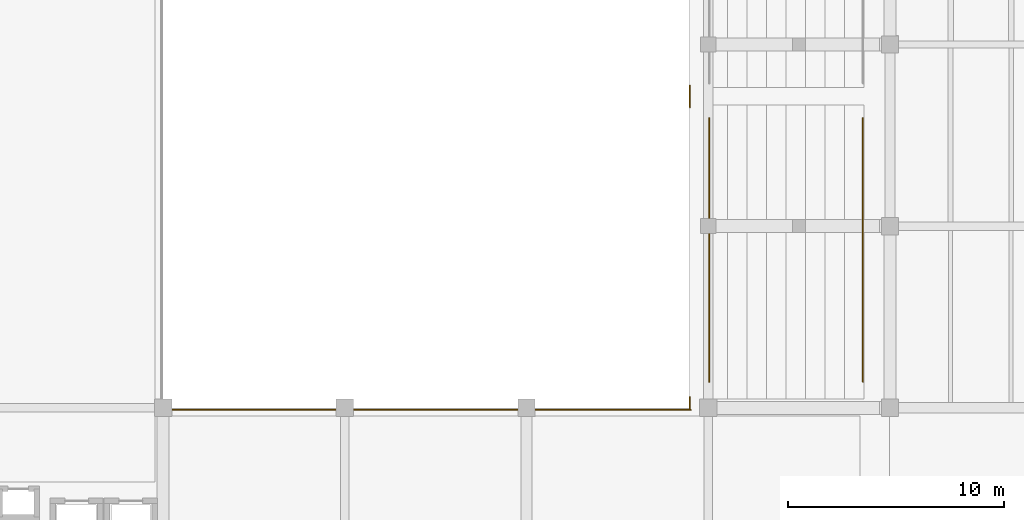
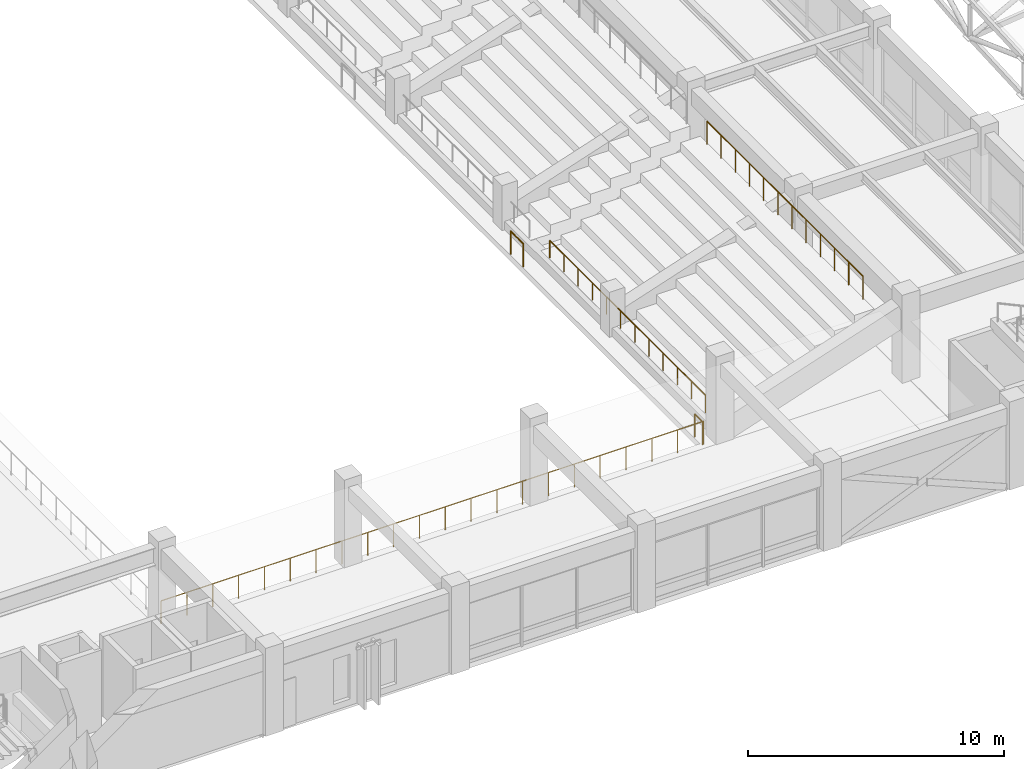
# One storey, part 106 of 132: 5 railings.
"""IFC4 building model written with IfcOpenShell, lengths in metres."""

from ifc_helpers import new_model, si_unit, direction, frame, origin, origin_2d, place, context, subcontext, project, spatial, circle, extrude, material, type_object, element, save


model = new_model("IFC4")

# Units and contexts
model_context = context("Model", 3, precision=1e-05, world=origin(), true_north=direction((0.0, 1.0)))
body_context = subcontext(model_context, "Body", "Model", "MODEL_VIEW")
ifc_project = project(units=[si_unit("LENGTHUNIT", "METRE"), si_unit("AREAUNIT", "SQUARE_METRE"), si_unit("VOLUMEUNIT", "CUBIC_METRE"), si_unit("PLANEANGLEUNIT", "RADIAN"), si_unit("MASSUNIT", "GRAM", prefix="KILO")], contexts=[model_context])

# Site, building, storey
site_placement = place(None, origin())
site = spatial("IfcSite", under=ifc_project, at=site_placement, CompositionType="ELEMENT")
building_placement = place(site_placement, origin())
building = spatial("IfcBuilding", under=site, at=building_placement, Name="Cumbredor Promenade Congress Hotel", CompositionType="ELEMENT")
storey_placement = place(building_placement, frame((0.0, 0.0, 7.56005859375)))
storey = spatial("IfcBuildingStorey", under=building, at=storey_placement, Name="L02", CompositionType="ELEMENT", Elevation=7.56005859375)

# Railings
ifc_material = material(Name="Brushed stainless steel", Category="steel")
railing_type_1 = type_object("IfcRailingType", Name="Interior Void & Stair Guardrail GR-1100", PredefinedType="GUARDRAIL", material=ifc_material)
railing_1_placement = place(storey_placement, frame((25.10009765625, 16.699951171875, 0.0)))
element("IfcRailing", 1, at=railing_1_placement, inside=storey, type_object=railing_type_1, Name="L02 v1_plenary_bowl Void Perimeter Guardrail 1", PredefinedType="GUARDRAIL", context=body_context, shape_type="SweptSolid", body=[
    extrude(circle(Radius=0.02392578125, at=origin_2d()), frame((0.0, 0.0, 1.09619140625), z_axis=(1.0, 0.0, 0.0), x_axis=(0.0, 1.0, 0.0)), (0.0, 0.0, 1.0), 24.5),
    extrude(circle(Radius=0.02099609375, at=origin_2d()), origin(), (0.0, 0.0, 1.0), 1.072021484375),
    extrude(circle(Radius=0.02099609375, at=origin_2d()), frame((1.166748046875, 0.0, 0.0)), (0.0, 0.0, 1.0), 1.072021484375),
    extrude(circle(Radius=0.02099609375, at=origin_2d()), frame((2.333251953125, 0.0, 0.0)), (0.0, 0.0, 1.0), 1.072021484375),
    extrude(circle(Radius=0.02099609375, at=origin_2d()), frame((3.5, 0.0, 0.0)), (0.0, 0.0, 1.0), 1.072021484375),
    extrude(circle(Radius=0.02099609375, at=origin_2d()), frame((4.666748046875, 0.0, 0.0)), (0.0, 0.0, 1.0), 1.072021484375),
    extrude(circle(Radius=0.02099609375, at=origin_2d()), frame((5.833251953125, 0.0, 0.0)), (0.0, 0.0, 1.0), 1.072021484375),
    extrude(circle(Radius=0.02099609375, at=origin_2d()), frame((7.0, 0.0, 0.0)), (0.0, 0.0, 1.0), 1.072021484375),
    extrude(circle(Radius=0.02099609375, at=origin_2d()), frame((8.166748046875, 0.0, 0.0)), (0.0, 0.0, 1.0), 1.072021484375),
    extrude(circle(Radius=0.02099609375, at=origin_2d()), frame((9.333251953125, 0.0, 0.0)), (0.0, 0.0, 1.0), 1.072021484375),
    extrude(circle(Radius=0.02099609375, at=origin_2d()), frame((10.5, 0.0, 0.0)), (0.0, 0.0, 1.0), 1.072021484375),
    extrude(circle(Radius=0.02099609375, at=origin_2d()), frame((11.666748046875, 0.0, 0.0)), (0.0, 0.0, 1.0), 1.072021484375),
    extrude(circle(Radius=0.02099609375, at=origin_2d()), frame((12.833251953125, 0.0, 0.0)), (0.0, 0.0, 1.0), 1.072021484375),
    extrude(circle(Radius=0.02099609375, at=origin_2d()), frame((14.0, 0.0, 0.0)), (0.0, 0.0, 1.0), 1.072021484375),
    extrude(circle(Radius=0.02099609375, at=origin_2d()), frame((15.166748046875, 0.0, 0.0)), (0.0, 0.0, 1.0), 1.072021484375),
    extrude(circle(Radius=0.02099609375, at=origin_2d()), frame((16.333251953125, 0.0, 0.0)), (0.0, 0.0, 1.0), 1.072021484375),
    extrude(circle(Radius=0.02099609375, at=origin_2d()), frame((17.5, 0.0, 0.0)), (0.0, 0.0, 1.0), 1.072021484375),
    extrude(circle(Radius=0.02099609375, at=origin_2d()), frame((18.666748046875, 0.0, 0.0)), (0.0, 0.0, 1.0), 1.072021484375),
    extrude(circle(Radius=0.02099609375, at=origin_2d()), frame((19.833251953125, 0.0, 0.0)), (0.0, 0.0, 1.0), 1.072021484375),
    extrude(circle(Radius=0.02099609375, at=origin_2d()), frame((21.0, 0.0, 0.0)), (0.0, 0.0, 1.0), 1.072021484375),
    extrude(circle(Radius=0.02099609375, at=origin_2d()), frame((22.166748046875, 0.0, 0.0)), (0.0, 0.0, 1.0), 1.072021484375),
    extrude(circle(Radius=0.02099609375, at=origin_2d()), frame((23.333251953125, 0.0, 0.0)), (0.0, 0.0, 1.0), 1.072021484375),
    extrude(circle(Radius=0.02099609375, at=origin_2d()), frame((24.5, 0.0, 0.0)), (0.0, 0.0, 1.0), 1.072021484375),
])
railing_2_placement = place(storey_placement, frame((49.550048828125, 16.699951171875, 0.0)))
element("IfcRailing", 2, at=railing_2_placement, inside=storey, type_object=railing_type_1, Name="L02 v1_plenary_bowl Void Perimeter Guardrail 4", PredefinedType="GUARDRAIL", context=body_context, shape_type="SweptSolid", body=[
    extrude(circle(Radius=0.02392578125, at=origin_2d()), frame((0.0, 0.0, 1.09619140625), z_axis=(0.0, 1.0, 0.0), x_axis=(-1.0, 0.0, 0.0)), (0.0, 0.0, 1.0), 0.60009765625),
    extrude(circle(Radius=0.02099609375, at=origin_2d()), origin(), (0.0, 0.0, 1.0), 1.072021484375),
    extrude(circle(Radius=0.02099609375, at=origin_2d()), frame((0.0, 0.60009765625, 0.0)), (0.0, 0.0, 1.0), 1.072021484375),
])
railing_3_placement = place(storey_placement, frame((49.550048828125, 30.699951171875, 0.0)))
element("IfcRailing", 3, at=railing_3_placement, inside=storey, type_object=railing_type_1, Name="L02 v1_plenary_bowl Void Perimeter Guardrail 5", PredefinedType="GUARDRAIL", context=body_context, shape_type="SweptSolid", body=[
    extrude(circle(Radius=0.02392578125, at=origin_2d()), frame((0.0, 0.0, 1.09619140625), z_axis=(0.0, 1.0, 0.0), x_axis=(-1.0, 0.0, 0.0)), (0.0, 0.0, 1.0), 1.0),
    extrude(circle(Radius=0.02099609375, at=origin_2d()), origin(), (0.0, 0.0, 1.0), 1.072021484375),
    extrude(circle(Radius=0.02099609375, at=origin_2d()), frame((0.0, 1.0, 0.0)), (0.0, 0.0, 1.0), 1.072021484375),
])
railing_4_placement = place(storey_placement, frame((57.550048828125, 18.0, 3.35986328125)))
element("IfcRailing", 4, at=railing_4_placement, inside=storey, type_object=railing_type_1, Name="Upper Balcony Tier 1 Rear Guardrail", PredefinedType="GUARDRAIL", context=body_context, shape_type="SweptSolid", body=[
    extrude(circle(Radius=0.02392578125, at=origin_2d()), frame((0.0, 0.0, 1.09619140625), z_axis=(0.0, 1.0, 0.0), x_axis=(-1.0, 0.0, 0.0)), (0.0, 0.0, 1.0), 12.199951171875),
    extrude(circle(Radius=0.02099609375, at=origin_2d()), origin(), (0.0, 0.0, 1.0), 1.072021484375),
    extrude(circle(Radius=0.02099609375, at=origin_2d()), frame((0.0, 1.109130859375, 0.0)), (0.0, 0.0, 1.0), 1.072021484375),
    extrude(circle(Radius=0.02099609375, at=origin_2d()), frame((0.0, 2.21826171875, 0.0)), (0.0, 0.0, 1.0), 1.072021484375),
    extrude(circle(Radius=0.02099609375, at=origin_2d()), frame((0.0, 3.3271484375, 0.0)), (0.0, 0.0, 1.0), 1.072021484375),
    extrude(circle(Radius=0.02099609375, at=origin_2d()), frame((0.0, 4.436279296875, 0.0)), (0.0, 0.0, 1.0), 1.072021484375),
    extrude(circle(Radius=0.02099609375, at=origin_2d()), frame((0.0, 5.54541015625, 0.0)), (0.0, 0.0, 1.0), 1.072021484375),
    extrude(circle(Radius=0.02099609375, at=origin_2d()), frame((0.0, 6.654541015625, 0.0)), (0.0, 0.0, 1.0), 1.072021484375),
    extrude(circle(Radius=0.02099609375, at=origin_2d()), frame((0.0, 7.763671875, 0.0)), (0.0, 0.0, 1.0), 1.072021484375),
    extrude(circle(Radius=0.02099609375, at=origin_2d()), frame((0.0, 8.872802734375, 0.0)), (0.0, 0.0, 1.0), 1.072021484375),
    extrude(circle(Radius=0.02099609375, at=origin_2d()), frame((0.0, 9.981689453125, 0.0)), (0.0, 0.0, 1.0), 1.072021484375),
    extrude(circle(Radius=0.02099609375, at=origin_2d()), frame((0.0, 11.0908203125, 0.0)), (0.0, 0.0, 1.0), 1.072021484375),
    extrude(circle(Radius=0.02099609375, at=origin_2d()), frame((0.0, 12.199951171875, 0.0)), (0.0, 0.0, 1.0), 1.072021484375),
])
railing_type_2 = type_object("IfcRailingType", Name="Seating Stand Front Sightline Guardrail GR-850", PredefinedType="GUARDRAIL", material=ifc_material)
railing_5_placement = place(storey_placement, frame((50.449951171875, 18.0, 0.419921875)))
element("IfcRailing", 5, at=railing_5_placement, inside=storey, type_object=railing_type_2, Name="Upper Balcony Tier 1 Front Sightline Guardrail", PredefinedType="GUARDRAIL", context=body_context, shape_type="SweptSolid", body=[
    extrude(circle(Radius=0.02392578125, at=origin_2d()), frame((0.0, 0.0, 0.826171875), z_axis=(0.0, 1.0, 0.0), x_axis=(-1.0, 0.0, 0.0)), (0.0, 0.0, 1.0), 12.199951171875),
    extrude(circle(Radius=0.02099609375, at=origin_2d()), origin(), (0.0, 0.0, 1.0), 0.802001953125),
    extrude(circle(Radius=0.02099609375, at=origin_2d()), frame((0.0, 1.109130859375, 0.0)), (0.0, 0.0, 1.0), 0.802001953125),
    extrude(circle(Radius=0.02099609375, at=origin_2d()), frame((0.0, 2.21826171875, 0.0)), (0.0, 0.0, 1.0), 0.802001953125),
    extrude(circle(Radius=0.02099609375, at=origin_2d()), frame((0.0, 3.3271484375, 0.0)), (0.0, 0.0, 1.0), 0.802001953125),
    extrude(circle(Radius=0.02099609375, at=origin_2d()), frame((0.0, 4.436279296875, 0.0)), (0.0, 0.0, 1.0), 0.802001953125),
    extrude(circle(Radius=0.02099609375, at=origin_2d()), frame((0.0, 5.54541015625, 0.0)), (0.0, 0.0, 1.0), 0.802001953125),
    extrude(circle(Radius=0.02099609375, at=origin_2d()), frame((0.0, 6.654541015625, 0.0)), (0.0, 0.0, 1.0), 0.802001953125),
    extrude(circle(Radius=0.02099609375, at=origin_2d()), frame((0.0, 7.763671875, 0.0)), (0.0, 0.0, 1.0), 0.802001953125),
    extrude(circle(Radius=0.02099609375, at=origin_2d()), frame((0.0, 8.872802734375, 0.0)), (0.0, 0.0, 1.0), 0.802001953125),
    extrude(circle(Radius=0.02099609375, at=origin_2d()), frame((0.0, 9.981689453125, 0.0)), (0.0, 0.0, 1.0), 0.802001953125),
    extrude(circle(Radius=0.02099609375, at=origin_2d()), frame((0.0, 11.0908203125, 0.0)), (0.0, 0.0, 1.0), 0.802001953125),
    extrude(circle(Radius=0.02099609375, at=origin_2d()), frame((0.0, 12.199951171875, 0.0)), (0.0, 0.0, 1.0), 0.802001953125),
])

save(model, "model.ifc")
